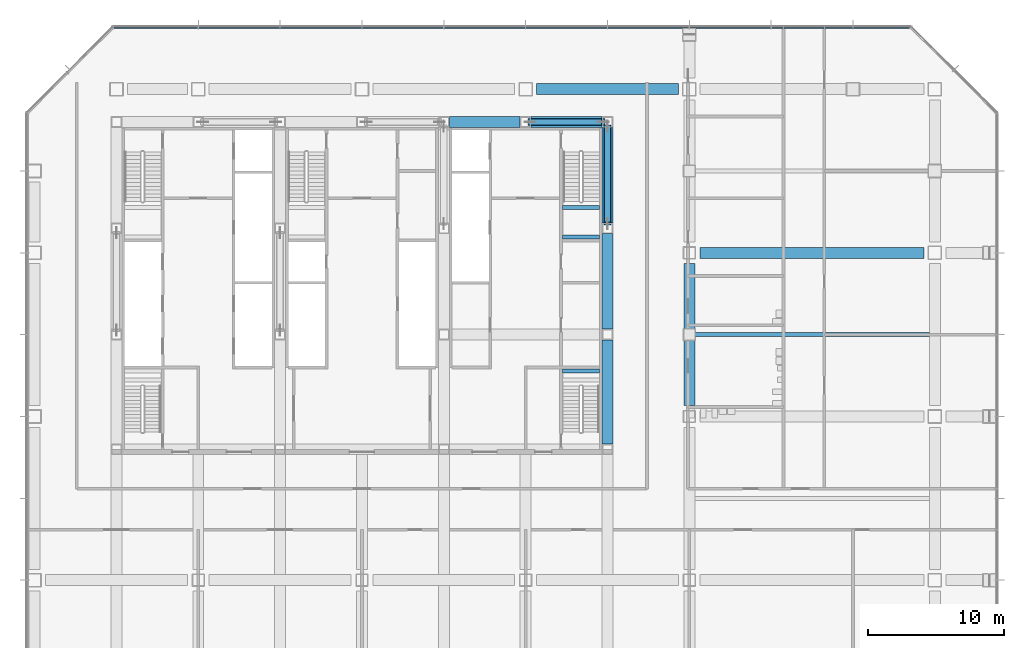
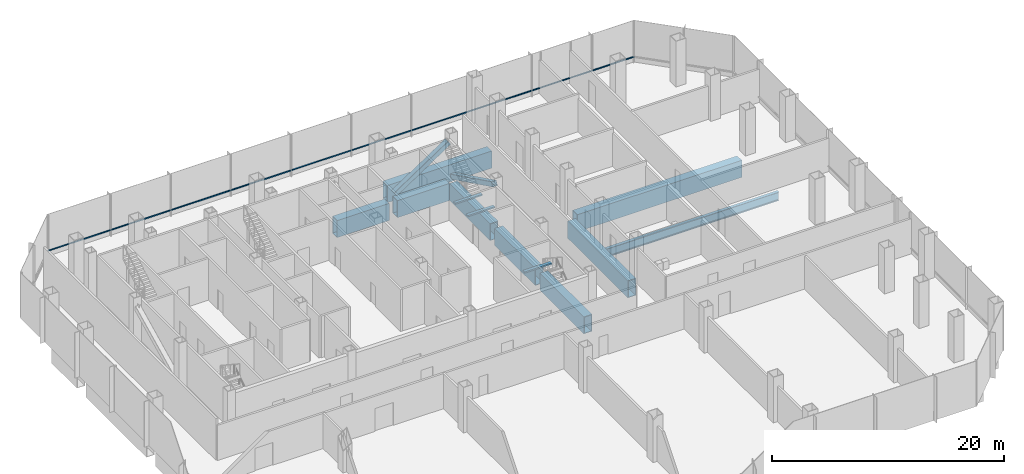
# One storey, part 14 of 34: 12 beams, 3 members, 1 element without a shape of its own.
"""IFC4 building model written with IfcOpenShell, lengths in metres."""

from ifc_helpers import new_model, si_unit, direction, frame, origin, origin_2d, place, context, subcontext, project, spatial, rectangle, hollow_rectangle, i_section, extrude, material, material_profile, profile_set, type_object, element, aggregate, save


model = new_model("IFC4")

# Units and contexts
model_context = context("Model", 3, precision=1e-05, world=origin(), true_north=direction((0.0, 1.0)))
body_context = subcontext(model_context, "Body", "Model", "MODEL_VIEW")
ifc_project = project(units=[si_unit("LENGTHUNIT", "METRE"), si_unit("AREAUNIT", "SQUARE_METRE"), si_unit("VOLUMEUNIT", "CUBIC_METRE"), si_unit("PLANEANGLEUNIT", "RADIAN"), si_unit("MASSUNIT", "GRAM", prefix="KILO")], contexts=[model_context])

# Site, building, storey
site_placement = place(None, origin())
site = spatial("IfcSite", under=ifc_project, at=site_placement, CompositionType="ELEMENT")
building_placement = place(site_placement, origin())
building = spatial("IfcBuilding", under=site, at=building_placement, Name="Sorahane Residences", CompositionType="ELEMENT")
storey_placement = place(building_placement, frame((0.0, 0.0, 20.39990234375)))
storey = spatial("IfcBuildingStorey", under=building, at=storey_placement, Name="L02", CompositionType="ELEMENT", Elevation=20.39990234375)

# Members
ifc_material_1 = material(Name="Steel Q355B", Category="steel")
ifc_material_profile_1 = material_profile(ifc_material_1, hollow_rectangle(XDim=0.5, YDim=0.5, WallThickness=0.02490234375, InnerFilletRadius=0.012451171875, OuterFilletRadius=0.03759765625, at=origin_2d()), Name="RHS 500x500x25")
ifc_profile_set_1 = profile_set([ifc_material_profile_1], Name="Steel Q355B")
member_type_1 = type_object("IfcMemberType", Name="Core brace RHS 500x500x25 Q355B", PredefinedType="BRACE", material=ifc_profile_set_1)
member_1_placement = place(storey_placement, frame((36.317138671875, 45.60009765625, 0.195068359375), z_axis=(0.833273178454, 0.0, 0.552861474575), x_axis=(0.0, 1.0, 0.0)))
element("IfcMember", 1, at=member_1_placement, inside=storey, type_object=member_type_1, Name="Core brace L02 y45.6-6", PredefinedType="BRACE", context=body_context, shape_type="SweptSolid", body=[
    extrude(hollow_rectangle(XDim=0.5, YDim=0.5, WallThickness=0.02490234375, InnerFilletRadius=0.012451171875, OuterFilletRadius=0.03759765625, at=origin_2d()), origin(), (0.0, 0.0, 1.0), 6.439453125),
])
member_2_placement = place(storey_placement, frame((42.0, 45.266357421875, 0.217529296875), z_axis=(0.0, -0.896985291701, 0.442060387811), x_axis=(1.0, 0.0, 0.0)))
element("IfcMember", 2, at=member_2_placement, inside=storey, type_object=member_type_1, Name="Core brace L02 x42-3", PredefinedType="BRACE", context=body_context, shape_type="SweptSolid", body=[
    extrude(hollow_rectangle(XDim=0.5, YDim=0.5, WallThickness=0.02490234375, InnerFilletRadius=0.012451171875, OuterFilletRadius=0.03759765625, at=origin_2d()), origin(), (0.0, 0.0, 1.0), 7.95166015625),
])

# Curtain wall, member
ifc_material_2 = material(Name="Dark low-e glass and black anodised aluminium", Category="aluminium")
curtain_wall_type = type_object("IfcCurtainWallType", Name="Curtain wall CW-3 Podium unitised wall", PredefinedType="NOTDEFINED", material=ifc_material_2)
curtain_wall_placement = place(storey_placement, origin())
curtain_wall = element("IfcCurtainWall", 3, at=curtain_wall_placement, inside=storey, type_object=curtain_wall_type, Name="CW-3 curtain wall L02 N1", PredefinedType="NOTDEFINED")
ifc_material_3 = material(Name="Black anodised aluminium", Category="aluminium")
ifc_material_profile_2 = material_profile(ifc_material_3, rectangle(XDim=0.10009765625, YDim=0.06005859375, at=origin_2d()), Name="Curtain wall transom CW-3 black anodised aluminium 60x100")
ifc_profile_set_2 = profile_set([ifc_material_profile_2], Name="Black anodised aluminium")
member_type_2 = type_object("IfcMemberType", Name="Curtain wall transom CW-3 black anodised aluminium 60x100", PredefinedType="USERDEFINED", material=ifc_profile_set_2)
member_3_placement = place(storey_placement, frame((64.198486328125, 52.530029296875, 0.60009765625), z_axis=(-1.0, 0.0, 0.0), x_axis=(0.0, -1.0, 0.0)))
member_3 = element("IfcMember", 4, at=member_3_placement, type_object=member_type_2, Name="CW-3 transom L02 N1", ObjectType="TRANSOM", PredefinedType="USERDEFINED", context=body_context, shape_type="SweptSolid", body=[
    extrude(rectangle(XDim=0.10009765625, YDim=0.06005859375, at=origin_2d()), origin(), (0.0, 0.0, 1.0), 58.39697265625),
])
aggregate(curtain_wall, [member_3])

# Beams
ifc_material_4 = material(Name="Concrete C40", Category="concrete")
ifc_material_profile_3 = material_profile(ifc_material_4, rectangle(XDim=0.300048828125, YDim=0.139892578125, at=origin_2d()), Name="300x140")
ifc_profile_set_3 = profile_set([ifc_material_profile_3], Name="Concrete C40")
beam_type_1 = type_object("IfcBeamType", Name="RC landing beam 300 x 140 Concrete C40", PredefinedType="BEAM", material=ifc_profile_set_3)
for number, where, z_axis, x_axis, name in (
    (5, (38.699951171875, 37.14990234375, 2.130126953125), (1.0, 0.0, 0.0), (0.0, 1.0, 0.0), "Landing beam"),
    (6, (38.699951171875, 39.31005859375, 2.130126953125), (1.0, 0.0, 0.0), (0.0, 1.0, 0.0), "Landing beam"),
    (7, (38.699951171875, 27.35009765625, 2.130126953125), (1.0, 0.0, 0.0), (0.0, 1.0, 0.0), "Landing beam"),
):
    element("IfcBeam", number, at=place(storey_placement, frame(where, z_axis=z_axis, x_axis=x_axis)), inside=storey, type_object=beam_type_1, Name=name, PredefinedType="BEAM", context=body_context, shape_type="SweptSolid", body=[
        extrude(rectangle(XDim=0.300048828125, YDim=0.139892578125, at=origin_2d()), origin(), (0.0, 0.0, 1.0), 2.699951171875),
    ])
ifc_material_5 = material(Name="Steel Q355B", Category="steel")
ifc_material_profile_4 = material_profile(ifc_material_5, i_section(OverallWidth=0.300048828125, OverallDepth=0.89990234375, WebThickness=0.01611328125, FlangeThickness=0.028076171875, FilletRadius=0.028076171875, at=origin_2d()), Name="HN 900x300x16x28")
ifc_profile_set_4 = profile_set([ifc_material_profile_4], Name="Steel Q355B")
beam_type_2 = type_object("IfcBeamType", Name="Steel floor beam HN 900x300x16x28 Q355B", PredefinedType="BEAM", material=ifc_profile_set_4)
beam_1_placement = place(storey_placement, frame((48.400146484375, 30.0, -0.849853515625), z_axis=(1.0, 0.0, 0.0), x_axis=(0.0, 1.0, 0.0)))
element("IfcBeam", 8, at=beam_1_placement, inside=storey, type_object=beam_type_2, Name="Beam L02 082", PredefinedType="BEAM", context=body_context, shape_type="SweptSolid", body=[
    extrude(i_section(OverallWidth=0.300048828125, OverallDepth=0.89990234375, WebThickness=0.01611328125, FlangeThickness=0.028076171875, FilletRadius=0.028076171875, at=origin_2d()), origin(), (0.0, 0.0, 1.0), 17.19970703125),
])
ifc_material_6 = material(Name="Steel Q420GJ", Category="steel")
ifc_material_profile_5 = material_profile(ifc_material_6, hollow_rectangle(XDim=0.800048828125, YDim=1.800048828125, WallThickness=0.050048828125, at=origin_2d()), Name="BOX 1800x800x50")
ifc_profile_set_5 = profile_set([ifc_material_profile_5], Name="Steel Q420GJ")
beam_type_3 = type_object("IfcBeamType", Name="Steel transfer girder BOX 1800x800x50 Q420GJ", PredefinedType="BEAM", material=ifc_profile_set_5)
beam_2_placement = place(storey_placement, frame((48.800048828125, 36.0, -1.2998046875), z_axis=(1.0, 0.0, 0.0), x_axis=(0.0, 1.0, 0.0)))
element("IfcBeam", 9, at=beam_2_placement, inside=storey, type_object=beam_type_3, Name="Beam L02 014", PredefinedType="BEAM", context=body_context, shape_type="SweptSolid", body=[
    extrude(hollow_rectangle(XDim=0.800048828125, YDim=1.800048828125, WallThickness=0.050048828125, at=origin_2d()), origin(), (0.0, 0.0, 1.0), 16.39990234375),
])
beam_3_placement = place(storey_placement, frame((36.800048828125, 48.0, -1.2998046875), z_axis=(1.0, 0.0, 0.0), x_axis=(0.0, 1.0, 0.0)))
element("IfcBeam", 10, at=beam_3_placement, inside=storey, type_object=beam_type_3, Name="Beam L02 019", PredefinedType="BEAM", context=body_context, shape_type="SweptSolid", body=[
    extrude(hollow_rectangle(XDim=0.800048828125, YDim=1.800048828125, WallThickness=0.050048828125, at=origin_2d()), origin(), (0.0, 0.0, 1.0), 10.39990234375),
])
for number, where, z_axis, x_axis, name in (
    (11, (30.39990234375, 45.60009765625, -1.2998046875), (1.0, 0.0, 0.0), (0.0, 1.0, 0.0), "Beam L02 029"),
    (12, (36.39990234375, 45.60009765625, -1.2998046875), (1.0, 0.0, 0.0), (0.0, 1.0, 0.0), "Beam L02 030"),
):
    element("IfcBeam", number, at=place(storey_placement, frame(where, z_axis=z_axis, x_axis=x_axis)), inside=storey, type_object=beam_type_3, Name=name, PredefinedType="BEAM", context=body_context, shape_type="SweptSolid", body=[
        extrude(hollow_rectangle(XDim=0.800048828125, YDim=1.800048828125, WallThickness=0.050048828125, at=origin_2d()), origin(), (0.0, 0.0, 1.0), 5.2001953125),
    ])
beam_4_placement = place(storey_placement, frame((48.0, 24.800048828125, -1.2998046875), z_axis=(0.0, 1.0, 0.0), x_axis=(-1.0, 0.0, 0.0)))
element("IfcBeam", 13, at=beam_4_placement, inside=storey, type_object=beam_type_3, Name="Beam L02 046", PredefinedType="BEAM", context=body_context, shape_type="SweptSolid", body=[
    extrude(hollow_rectangle(XDim=0.800048828125, YDim=1.800048828125, WallThickness=0.050048828125, at=origin_2d()), origin(), (0.0, 0.0, 1.0), 10.39990234375),
])
beam_5_placement = place(storey_placement, frame((42.0, 22.0, -1.2998046875), z_axis=(0.0, 1.0, 0.0), x_axis=(-1.0, 0.0, 0.0)))
element("IfcBeam", 14, at=beam_5_placement, inside=storey, type_object=beam_type_3, Name="Beam L02 075", PredefinedType="BEAM", context=body_context, shape_type="SweptSolid", body=[
    extrude(hollow_rectangle(XDim=0.800048828125, YDim=1.800048828125, WallThickness=0.050048828125, at=origin_2d()), origin(), (0.0, 0.0, 1.0), 7.60009765625),
])
for number, where, z_axis, x_axis, name in (
    (15, (42.0, 30.39990234375, -1.2998046875), (0.0, 1.0, 0.0), (-1.0, 0.0, 0.0), "Beam L02 076"),
    (16, (42.0, 38.199951171875, -1.2998046875), (0.0, 1.0, 0.0), (-1.0, 0.0, 0.0), "Beam L02 077"),
):
    element("IfcBeam", number, at=place(storey_placement, frame(where, z_axis=z_axis, x_axis=x_axis)), inside=storey, type_object=beam_type_3, Name=name, PredefinedType="BEAM", context=body_context, shape_type="SweptSolid", body=[
        extrude(hollow_rectangle(XDim=0.800048828125, YDim=1.800048828125, WallThickness=0.050048828125, at=origin_2d()), origin(), (0.0, 0.0, 1.0), 7.0),
    ])

save(model, "model.ifc")
